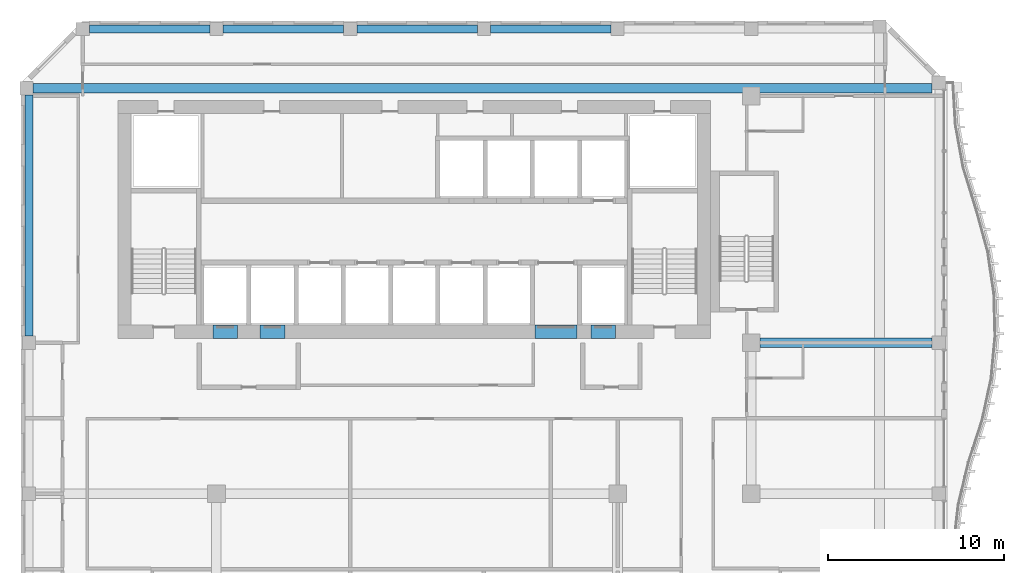
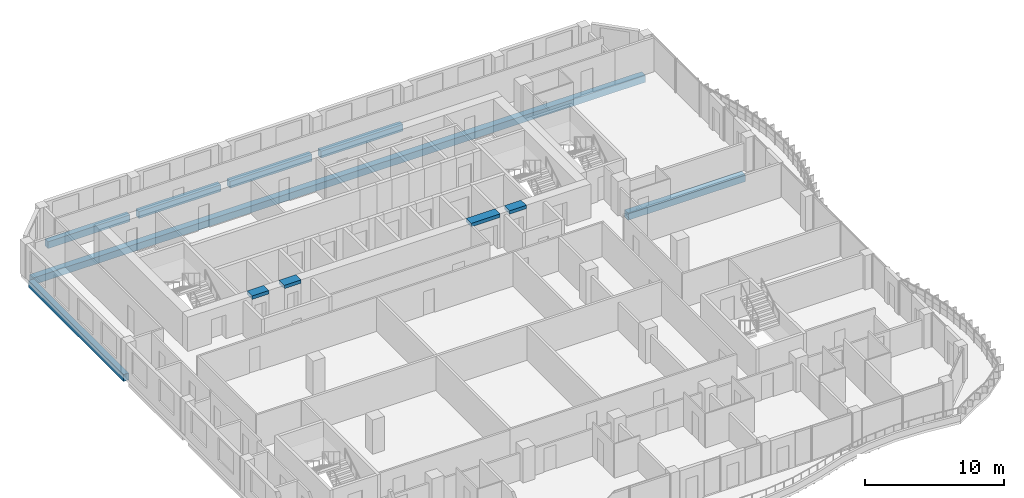
# One storey, part 7 of 22: 11 beams.
"""IFC4 building model written with IfcOpenShell, lengths in metres."""

from ifc_helpers import new_model, si_unit, direction, frame, origin, origin_2d, place, context, subcontext, project, spatial, rectangle, extrude, source, transform, mapped, material, material_profile, profile_set, type_object, element, save


model = new_model("IFC4")

# Units and contexts
model_context = context("Model", 3, precision=1e-05, world=origin(), true_north=direction((0.0, 1.0)))
body_context = subcontext(model_context, "Body", "Model", "MODEL_VIEW")
ifc_project = project(units=[si_unit("LENGTHUNIT", "METRE"), si_unit("AREAUNIT", "SQUARE_METRE"), si_unit("VOLUMEUNIT", "CUBIC_METRE"), si_unit("PLANEANGLEUNIT", "RADIAN"), si_unit("MASSUNIT", "GRAM", prefix="KILO")], contexts=[model_context])

# Site, building, storey
site_placement = place(None, origin())
site = spatial("IfcSite", under=ifc_project, at=site_placement, CompositionType="ELEMENT")
building_placement = place(site_placement, origin())
building = spatial("IfcBuilding", under=site, at=building_placement, Name="Kilnfold Tower and Market Hall", CompositionType="ELEMENT")
storey_placement = place(building_placement, frame((0.0, 0.0, 220.300048828125)))
storey = spatial("IfcBuildingStorey", under=building, at=storey_placement, Name="L54", CompositionType="ELEMENT", Elevation=220.300048828125)

# Beams
ifc_material_1 = material(Name="Concrete C60", Category="concrete")
ifc_material_profile_1 = material_profile(ifc_material_1, rectangle(XDim=0.75, YDim=0.300048828125, at=origin_2d()), Name="RC 750x300")
ifc_profile_set_1 = profile_set([ifc_material_profile_1], Name="Concrete C60")
beam_type_1 = type_object("IfcBeamType", Name="COUPLING BEAM 750X300 C60", PredefinedType="BEAM", material=ifc_profile_set_1)
shared_shape_1 = source(origin(), body_context, "Body", "SweptSolid", [
    extrude(rectangle(XDim=0.75, YDim=0.300048828125, at=origin_2d()), origin(), (0.0, 0.0, 1.0), 1.400146484375),
])
beam_1_placement = place(storey_placement, frame((-10.3701171875, 8.625, 2.849853515625), z_axis=(1.0, 0.0, 0.0), x_axis=(0.0, 1.0, 0.0)))
element("IfcBeam", 1, at=beam_1_placement, inside=storey, type_object=beam_type_1, Name="Coupling beam CB300-60-CORE.37", PredefinedType="BEAM", context=body_context, shape_type="MappedRepresentation", body=[
    mapped(shared_shape_1, transform((0.0, 0.0, 0.0))),
])
shared_shape_2 = source(origin(), body_context, "Body", "SweptSolid", [
    extrude(rectangle(XDim=0.75, YDim=0.300048828125, at=origin_2d()), origin(), (0.0, 0.0, 1.0), 1.39990234375),
])
for number, where, z_axis, x_axis, name in (
    (2, (-7.68994140625, 8.625, 2.849853515625), (1.0, 0.0, 0.0), (0.0, 1.0, 0.0), "Coupling beam CB300-60-CORE.38"),
    (3, (11.070068359375, 8.625, 2.849853515625), (1.0, 0.0, 0.0), (0.0, 1.0, 0.0), "Coupling beam CB300-60-CORE.40"),
):
    element("IfcBeam", number, at=place(storey_placement, frame(where, z_axis=z_axis, x_axis=x_axis)), inside=storey, type_object=beam_type_1, Name=name, PredefinedType="BEAM", context=body_context, shape_type="MappedRepresentation", body=[
        mapped(shared_shape_2, transform((0.0, 0.0, 0.0))),
    ])
shared_shape_3 = source(origin(), body_context, "Body", "SweptSolid", [
    extrude(rectangle(XDim=0.75, YDim=0.300048828125, at=origin_2d()), origin(), (0.0, 0.0, 1.0), 2.400146484375),
])
beam_2_placement = place(storey_placement, frame((7.889892578125, 8.625, 2.849853515625), z_axis=(1.0, 0.0, 0.0), x_axis=(0.0, 1.0, 0.0)))
element("IfcBeam", 4, at=beam_2_placement, inside=storey, type_object=beam_type_1, Name="Coupling beam CB300-60-CORE.39", PredefinedType="BEAM", context=body_context, shape_type="MappedRepresentation", body=[
    mapped(shared_shape_3, transform((0.0, 0.0, 0.0))),
])
ifc_material_2 = material(Name="Concrete C45", Category="concrete")
ifc_material_profile_2 = material_profile(ifc_material_2, rectangle(XDim=0.449951171875, YDim=0.60009765625, at=origin_2d()), Name="RC 450x600")
ifc_profile_set_2 = profile_set([ifc_material_profile_2], Name="Concrete C45")
beam_type_2 = type_object("IfcBeamType", Name="EDGE BEAM 450X600 C45", PredefinedType="BEAM", material=ifc_profile_set_2)
shared_shape_4 = source(origin(), body_context, "Body", "SweptSolid", [
    extrude(rectangle(XDim=0.449951171875, YDim=0.60009765625, at=origin_2d()), origin(), (0.0, 0.0, 1.0), 13.681884765625),
])
beam_3_placement = place(storey_placement, frame((-20.800048828125, 8.375, -0.580078125), z_axis=(0.0, 1.0, 0.0), x_axis=(-1.0, 0.0, 0.0)))
element("IfcBeam", 5, at=beam_3_placement, inside=storey, type_object=beam_type_2, Name="Beam EB600-B6.33", PredefinedType="BEAM", context=body_context, shape_type="MappedRepresentation", body=[
    mapped(shared_shape_4, transform((0.0, 0.0, 0.0))),
])
shared_shape_5 = source(origin(), body_context, "Body", "SweptSolid", [
    extrude(rectangle(XDim=0.449951171875, YDim=0.60009765625, at=origin_2d()), origin(), (0.0, 0.0, 1.0), 6.833251953125),
])
for number, where, z_axis, x_axis, name in (
    (6, (-17.375, 25.800048828125, -0.580078125), (1.0, 0.0, 0.0), (0.0, 1.0, 0.0), "Beam EB600-B6.54"),
    (7, (-2.208251953125, 25.800048828125, -0.580078125), (1.0, 0.0, 0.0), (0.0, 1.0, 0.0), "Beam EB600-B6.56"),
    (8, (5.375, 25.800048828125, -0.580078125), (1.0, 0.0, 0.0), (0.0, 1.0, 0.0), "Beam EB600-B6.57"),
):
    element("IfcBeam", number, at=place(storey_placement, frame(where, z_axis=z_axis, x_axis=x_axis)), inside=storey, type_object=beam_type_2, Name=name, PredefinedType="BEAM", context=body_context, shape_type="MappedRepresentation", body=[
        mapped(shared_shape_5, transform((0.0, 0.0, 0.0))),
    ])
shared_shape_6 = source(origin(), body_context, "Body", "SweptSolid", [
    extrude(rectangle(XDim=0.449951171875, YDim=0.60009765625, at=origin_2d()), origin(), (0.0, 0.0, 1.0), 6.83349609375),
])
beam_4_placement = place(storey_placement, frame((-9.791748046875, 25.800048828125, -0.580078125), z_axis=(1.0, 0.0, 0.0), x_axis=(0.0, 1.0, 0.0)))
element("IfcBeam", 9, at=beam_4_placement, inside=storey, type_object=beam_type_2, Name="Beam EB600-B6.55", PredefinedType="BEAM", context=body_context, shape_type="MappedRepresentation", body=[
    mapped(shared_shape_6, transform((0.0, 0.0, 0.0))),
])
ifc_material_3 = material(Name="Concrete C45", Category="concrete")
ifc_material_profile_3 = material_profile(ifc_material_3, rectangle(XDim=0.550048828125, YDim=0.60009765625, at=origin_2d()), Name="RC 550x600")
ifc_profile_set_3 = profile_set([ifc_material_profile_3], Name="Concrete C45")
beam_type_3 = type_object("IfcBeamType", Name="BEAM 550X600 C45", PredefinedType="BEAM", material=ifc_profile_set_3)
shared_shape_7 = source(origin(), body_context, "Body", "SweptSolid", [
    extrude(rectangle(XDim=0.550048828125, YDim=0.60009765625, at=origin_2d()), origin(), (0.0, 0.0, 1.0), 50.98193359375),
])
beam_5_placement = place(storey_placement, frame((-20.556884765625, 22.429931640625, -0.580078125), z_axis=(1.0, 0.0, 0.0), x_axis=(0.0, 1.0, 0.0)))
element("IfcBeam", 10, at=beam_5_placement, inside=storey, type_object=beam_type_3, Name="Beam BB600-B6.53", PredefinedType="BEAM", context=body_context, shape_type="MappedRepresentation", body=[
    mapped(shared_shape_7, transform((0.0, 0.0, 0.0))),
])
shared_shape_8 = source(origin(), body_context, "Body", "SweptSolid", [
    extrude(rectangle(XDim=0.550048828125, YDim=0.60009765625, at=origin_2d()), origin(), (0.0, 0.0, 1.0), 9.75830078125),
])
beam_6_placement = place(storey_placement, frame((20.666748046875, 8.0, -0.580078125), z_axis=(1.0, 0.0, 0.0), x_axis=(0.0, 1.0, 0.0)))
element("IfcBeam", 11, at=beam_6_placement, inside=storey, type_object=beam_type_3, Name="Beam BB600-B6.52", PredefinedType="BEAM", context=body_context, shape_type="MappedRepresentation", body=[
    mapped(shared_shape_8, transform((0.0, 0.0, 0.0))),
])

save(model, "model.ifc")
